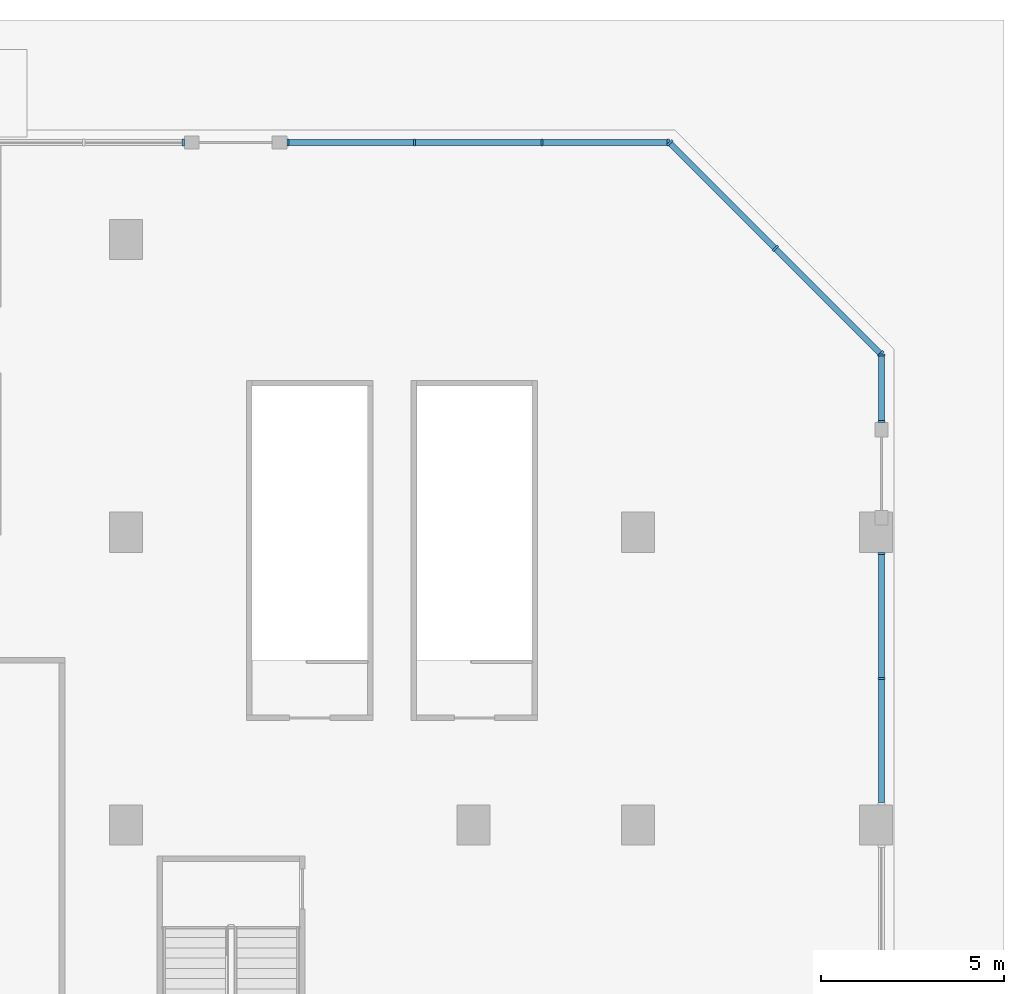
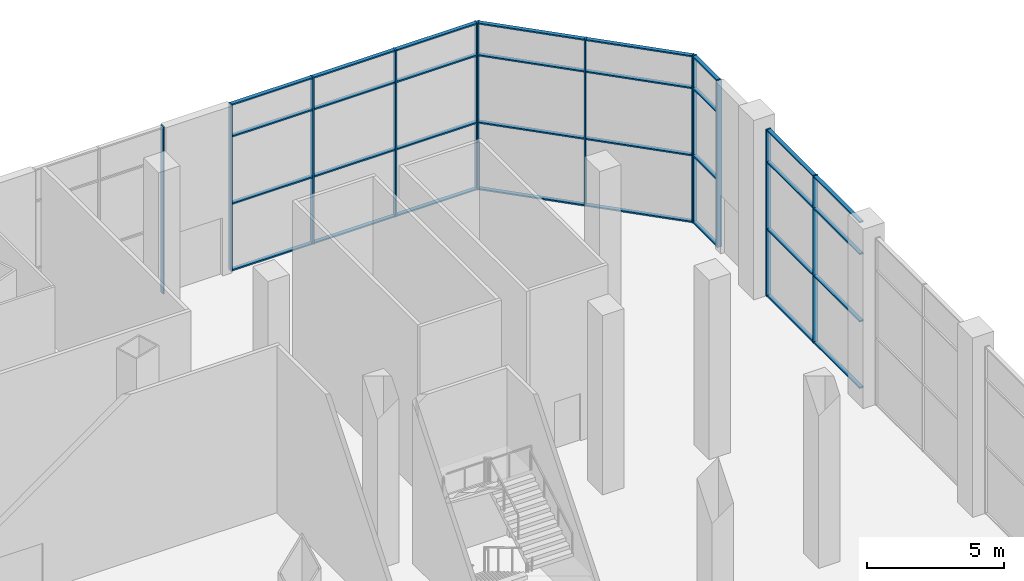
# One storey, part 8 of 33: 44 members, 5 elements without a shape of their own.
"""IFC4 building model written with IfcOpenShell, lengths in metres."""

from ifc_helpers import new_model, si_unit, direction, frame, origin, origin_2d, place, context, subcontext, project, spatial, rectangle, extrude, material, layer, layer_set, material_profile, profile_set, type_object, element, aggregate, save


model = new_model("IFC4")

# Units and contexts
model_context = context("Model", 3, precision=1e-05, world=origin(), true_north=direction((0.0, 1.0)))
body_context = subcontext(model_context, "Body", "Model", "MODEL_VIEW")
ifc_project = project(units=[si_unit("LENGTHUNIT", "METRE"), si_unit("AREAUNIT", "SQUARE_METRE"), si_unit("VOLUMEUNIT", "CUBIC_METRE"), si_unit("PLANEANGLEUNIT", "RADIAN"), si_unit("MASSUNIT", "GRAM", prefix="KILO")], contexts=[model_context])

# Site, building, storey
site_placement = place(None, origin())
site = spatial("IfcSite", under=ifc_project, at=site_placement, CompositionType="ELEMENT")
building_placement = place(site_placement, origin())
building = spatial("IfcBuilding", under=site, at=building_placement, Name="Alderwake Tower", CompositionType="ELEMENT")
storey_placement = place(building_placement, origin())
storey = spatial("IfcBuildingStorey", under=building, at=storey_placement, Name="L00", CompositionType="ELEMENT", Elevation=0.0)

# Curtain wall, members
ifc_material_1 = material(Name="Bronze tinted glass in aluminium frame", Category="aluminium")
ifc_layer = layer(ifc_material_1, 0.25)
ifc_layer_set = layer_set([ifc_layer], Name="Curtain wall CW1 podium shopfront")
curtain_wall_type = type_object("IfcCurtainWallType", Name="Curtain wall CW1 podium shopfront", PredefinedType="NOTDEFINED", material=ifc_layer_set)
curtain_wall_1_placement = place(storey_placement, origin())
curtain_wall_1 = element("IfcCurtainWall", 1, at=curtain_wall_1_placement, inside=storey, type_object=curtain_wall_type, Name="Curtain wall 17", PredefinedType="NOTDEFINED")
ifc_material_2 = material(Name="Aluminium bronze anodised", Category="aluminium")
ifc_material_profile_1 = material_profile(ifc_material_2, rectangle(XDim=0.199951171875, YDim=0.06005859375, at=origin_2d()), Name="Mullion MUA 60x200")
ifc_profile_set_1 = profile_set([ifc_material_profile_1], Name="Aluminium bronze anodised")
member_type_1 = type_object("IfcMemberType", Name="Mullion MUA 60x200", PredefinedType="MULLION", material=ifc_profile_set_1)
member_1_placement = place(storey_placement, frame((84.64990234375, 100.0, 0.0), z_axis=(0.0, 0.0, 1.0), x_axis=(-1.0, 0.0, 0.0)))
member_1 = element("IfcMember", 2, at=member_1_placement, type_object=member_type_1, Name="CW.17 mullion 2", PredefinedType="MULLION", context=body_context, shape_type="SweptSolid", body=[
    extrude(rectangle(XDim=0.199951171875, YDim=0.06005859375, at=origin_2d()), origin(), (0.0, 0.0, 1.0), 7.449951171875),
])
member_2_placement = place(storey_placement, frame((84.64990234375, 103.419921875, 0.0), z_axis=(0.0, 0.0, 1.0), x_axis=(-1.0, 0.0, 0.0)))
member_2 = element("IfcMember", 3, at=member_2_placement, type_object=member_type_1, Name="CW.17 mullion 3", PredefinedType="MULLION", context=body_context, shape_type="SweptSolid", body=[
    extrude(rectangle(XDim=0.199951171875, YDim=0.06005859375, at=origin_2d()), origin(), (0.0, 0.0, 1.0), 7.449951171875),
])

curtain_wall_2_placement = place(storey_placement, origin())
curtain_wall_2 = element("IfcCurtainWall", 4, at=curtain_wall_2_placement, inside=storey, type_object=curtain_wall_type, Name="Curtain wall 18", PredefinedType="NOTDEFINED")
member_3_placement = place(storey_placement, frame((84.64990234375, 107.030029296875, 0.0), z_axis=(0.0, 0.0, 1.0), x_axis=(-1.0, 0.0, 0.0)))
member_3 = element("IfcMember", 5, at=member_3_placement, type_object=member_type_1, Name="CW.18 mullion 1", PredefinedType="MULLION", context=body_context, shape_type="SweptSolid", body=[
    extrude(rectangle(XDim=0.199951171875, YDim=0.06005859375, at=origin_2d()), origin(), (0.0, 0.0, 1.0), 7.449951171875),
])
member_4_placement = place(storey_placement, frame((84.64990234375, 108.840087890625, 0.0), z_axis=(0.0, 0.0, 1.0), x_axis=(-1.0, 0.0, 0.0)))
member_4 = element("IfcMember", 6, at=member_4_placement, type_object=member_type_1, Name="CW.18 mullion 2", PredefinedType="MULLION", context=body_context, shape_type="SweptSolid", body=[
    extrude(rectangle(XDim=0.199951171875, YDim=0.06005859375, at=origin_2d()), origin(), (0.0, 0.0, 1.0), 7.449951171875),
])

curtain_wall_3_placement = place(storey_placement, origin())
curtain_wall_3 = element("IfcCurtainWall", 7, at=curtain_wall_3_placement, inside=storey, type_object=curtain_wall_type, Name="Curtain wall 19", PredefinedType="NOTDEFINED")
member_5_placement = place(storey_placement, frame((84.62890625, 108.876220703125, 0.0), z_axis=(0.0, 0.0, 1.0), x_axis=(-0.707106781187, -0.707106781187, 0.0)))
member_5 = element("IfcMember", 8, at=member_5_placement, type_object=member_type_1, Name="CW.19 mullion 1", PredefinedType="MULLION", context=body_context, shape_type="SweptSolid", body=[
    extrude(rectangle(XDim=0.199951171875, YDim=0.06005859375, at=origin_2d()), origin(), (0.0, 0.0, 1.0), 7.449951171875),
])
member_6_placement = place(storey_placement, frame((81.747314453125, 111.7578125, 0.0), z_axis=(0.0, 0.0, 1.0), x_axis=(-0.707106781187, -0.707106781187, 0.0)))
member_6 = element("IfcMember", 9, at=member_6_placement, type_object=member_type_1, Name="CW.19 mullion 2", PredefinedType="MULLION", context=body_context, shape_type="SweptSolid", body=[
    extrude(rectangle(XDim=0.199951171875, YDim=0.06005859375, at=origin_2d()), origin(), (0.0, 0.0, 1.0), 7.449951171875),
])
member_7_placement = place(storey_placement, frame((78.86572265625, 114.639404296875, 0.0), z_axis=(0.0, 0.0, 1.0), x_axis=(-0.707106781187, -0.707106781187, 0.0)))
member_7 = element("IfcMember", 10, at=member_7_placement, type_object=member_type_1, Name="CW.19 mullion 3", PredefinedType="MULLION", context=body_context, shape_type="SweptSolid", body=[
    extrude(rectangle(XDim=0.199951171875, YDim=0.06005859375, at=origin_2d()), origin(), (0.0, 0.0, 1.0), 7.449951171875),
])

curtain_wall_4_placement = place(storey_placement, origin())
curtain_wall_4 = element("IfcCurtainWall", 11, at=curtain_wall_4_placement, inside=storey, type_object=curtain_wall_type, Name="Curtain wall 20", PredefinedType="NOTDEFINED")
member_8_placement = place(storey_placement, frame((78.824951171875, 114.64990234375, 0.0), z_axis=(0.0, 0.0, 1.0), x_axis=(0.0, -1.0, 0.0)))
member_8 = element("IfcMember", 12, at=member_8_placement, type_object=member_type_1, Name="CW.20 mullion 1", PredefinedType="MULLION", context=body_context, shape_type="SweptSolid", body=[
    extrude(rectangle(XDim=0.199951171875, YDim=0.06005859375, at=origin_2d()), origin(), (0.0, 0.0, 1.0), 7.449951171875),
])
member_9_placement = place(storey_placement, frame((75.3701171875, 114.64990234375, 0.0), z_axis=(0.0, 0.0, 1.0), x_axis=(0.0, -1.0, 0.0)))
member_9 = element("IfcMember", 13, at=member_9_placement, type_object=member_type_1, Name="CW.20 mullion 2", PredefinedType="MULLION", context=body_context, shape_type="SweptSolid", body=[
    extrude(rectangle(XDim=0.199951171875, YDim=0.06005859375, at=origin_2d()), origin(), (0.0, 0.0, 1.0), 7.449951171875),
])
member_10_placement = place(storey_placement, frame((71.885009765625, 114.64990234375, 0.0), z_axis=(0.0, 0.0, 1.0), x_axis=(0.0, -1.0, 0.0)))
member_10 = element("IfcMember", 14, at=member_10_placement, type_object=member_type_1, Name="CW.20 mullion 3", PredefinedType="MULLION", context=body_context, shape_type="SweptSolid", body=[
    extrude(rectangle(XDim=0.199951171875, YDim=0.06005859375, at=origin_2d()), origin(), (0.0, 0.0, 1.0), 7.449951171875),
])
member_11_placement = place(storey_placement, frame((68.429931640625, 114.64990234375, 0.0), z_axis=(0.0, 0.0, 1.0), x_axis=(0.0, -1.0, 0.0)))
member_11 = element("IfcMember", 15, at=member_11_placement, type_object=member_type_1, Name="CW.20 mullion 4", PredefinedType="MULLION", context=body_context, shape_type="SweptSolid", body=[
    extrude(rectangle(XDim=0.199951171875, YDim=0.06005859375, at=origin_2d()), origin(), (0.0, 0.0, 1.0), 7.449951171875),
])

# Curtain wall, member
curtain_wall_5_placement = place(storey_placement, origin())
curtain_wall_5 = element("IfcCurtainWall", 16, at=curtain_wall_5_placement, inside=storey, type_object=curtain_wall_type, Name="Curtain wall 21", PredefinedType="NOTDEFINED")
member_12_placement = place(storey_placement, frame((65.570068359375, 114.64990234375, 0.0), z_axis=(0.0, 0.0, 1.0), x_axis=(0.0, -1.0, 0.0)))
member_12 = element("IfcMember", 17, at=member_12_placement, type_object=member_type_1, Name="CW.21 mullion 1", PredefinedType="MULLION", context=body_context, shape_type="SweptSolid", body=[
    extrude(rectangle(XDim=0.199951171875, YDim=0.06005859375, at=origin_2d()), origin(), (0.0, 0.0, 1.0), 7.449951171875),
])
aggregate(curtain_wall_5, [member_12])

# Member
ifc_material_3 = material(Name="Aluminium bronze anodised", Category="aluminium")
ifc_material_profile_2 = material_profile(ifc_material_3, rectangle(XDim=0.159912109375, YDim=0.06005859375, at=origin_2d()), Name="Transom TRA 60x160")
ifc_profile_set_2 = profile_set([ifc_material_profile_2], Name="Aluminium bronze anodised")
member_type_2 = type_object("IfcMemberType", Name="Transom TRA 60x160", PredefinedType="USERDEFINED", material=ifc_profile_set_2)
member_13_placement = place(storey_placement, frame((84.64990234375, 96.610107421875, 0.030029296875), z_axis=(0.0, 1.0, 0.0), x_axis=(-1.0, 0.0, 0.0)))
member_13 = element("IfcMember", 18, at=member_13_placement, type_object=member_type_2, Name="CW.17 transom 1.1", ObjectType="TRANSOM", PredefinedType="USERDEFINED", context=body_context, shape_type="SweptSolid", body=[
    extrude(rectangle(XDim=0.159912109375, YDim=0.06005859375, at=origin_2d()), origin(), (0.0, 0.0, 1.0), 3.35986328125),
])

member_14_placement = place(storey_placement, frame((84.64990234375, 96.610107421875, 3.0), z_axis=(0.0, 1.0, 0.0), x_axis=(-1.0, 0.0, 0.0)))
member_14 = element("IfcMember", 19, at=member_14_placement, type_object=member_type_2, Name="CW.17 transom 1.2", ObjectType="TRANSOM", PredefinedType="USERDEFINED", context=body_context, shape_type="SweptSolid", body=[
    extrude(rectangle(XDim=0.159912109375, YDim=0.06005859375, at=origin_2d()), origin(), (0.0, 0.0, 1.0), 3.35986328125),
])

member_15_placement = place(storey_placement, frame((84.64990234375, 96.610107421875, 6.0), z_axis=(0.0, 1.0, 0.0), x_axis=(-1.0, 0.0, 0.0)))
member_15 = element("IfcMember", 20, at=member_15_placement, type_object=member_type_2, Name="CW.17 transom 1.3", ObjectType="TRANSOM", PredefinedType="USERDEFINED", context=body_context, shape_type="SweptSolid", body=[
    extrude(rectangle(XDim=0.159912109375, YDim=0.06005859375, at=origin_2d()), origin(), (0.0, 0.0, 1.0), 3.35986328125),
])

member_16_placement = place(storey_placement, frame((84.64990234375, 96.610107421875, 7.419921875), z_axis=(0.0, 1.0, 0.0), x_axis=(-1.0, 0.0, 0.0)))
member_16 = element("IfcMember", 21, at=member_16_placement, type_object=member_type_2, Name="CW.17 transom 1.4", ObjectType="TRANSOM", PredefinedType="USERDEFINED", context=body_context, shape_type="SweptSolid", body=[
    extrude(rectangle(XDim=0.159912109375, YDim=0.06005859375, at=origin_2d()), origin(), (0.0, 0.0, 1.0), 3.35986328125),
])

member_17_placement = place(storey_placement, frame((84.64990234375, 100.030029296875, 0.030029296875), z_axis=(0.0, 1.0, 0.0), x_axis=(-1.0, 0.0, 0.0)))
member_17 = element("IfcMember", 22, at=member_17_placement, type_object=member_type_2, Name="CW.17 transom 2.1", ObjectType="TRANSOM", PredefinedType="USERDEFINED", context=body_context, shape_type="SweptSolid", body=[
    extrude(rectangle(XDim=0.159912109375, YDim=0.06005859375, at=origin_2d()), origin(), (0.0, 0.0, 1.0), 3.35986328125),
])

member_18_placement = place(storey_placement, frame((84.64990234375, 100.030029296875, 3.0), z_axis=(0.0, 1.0, 0.0), x_axis=(-1.0, 0.0, 0.0)))
member_18 = element("IfcMember", 23, at=member_18_placement, type_object=member_type_2, Name="CW.17 transom 2.2", ObjectType="TRANSOM", PredefinedType="USERDEFINED", context=body_context, shape_type="SweptSolid", body=[
    extrude(rectangle(XDim=0.159912109375, YDim=0.06005859375, at=origin_2d()), origin(), (0.0, 0.0, 1.0), 3.35986328125),
])

member_19_placement = place(storey_placement, frame((84.64990234375, 100.030029296875, 6.0), z_axis=(0.0, 1.0, 0.0), x_axis=(-1.0, 0.0, 0.0)))
member_19 = element("IfcMember", 24, at=member_19_placement, type_object=member_type_2, Name="CW.17 transom 2.3", ObjectType="TRANSOM", PredefinedType="USERDEFINED", context=body_context, shape_type="SweptSolid", body=[
    extrude(rectangle(XDim=0.159912109375, YDim=0.06005859375, at=origin_2d()), origin(), (0.0, 0.0, 1.0), 3.35986328125),
])

member_20_placement = place(storey_placement, frame((84.64990234375, 100.030029296875, 7.419921875), z_axis=(0.0, 1.0, 0.0), x_axis=(-1.0, 0.0, 0.0)))
member_20 = element("IfcMember", 25, at=member_20_placement, type_object=member_type_2, Name="CW.17 transom 2.4", ObjectType="TRANSOM", PredefinedType="USERDEFINED", context=body_context, shape_type="SweptSolid", body=[
    extrude(rectangle(XDim=0.159912109375, YDim=0.06005859375, at=origin_2d()), origin(), (0.0, 0.0, 1.0), 3.35986328125),
])

aggregate(curtain_wall_1, [member_1, member_2, member_13, member_14, member_15, member_16, member_17, member_18, member_19, member_20])

member_21_placement = place(storey_placement, frame((84.64990234375, 107.06005859375, 0.030029296875), z_axis=(0.0, 1.0, 0.0), x_axis=(-1.0, 0.0, 0.0)))
member_21 = element("IfcMember", 26, at=member_21_placement, type_object=member_type_2, Name="CW.18 transom 1.1", ObjectType="TRANSOM", PredefinedType="USERDEFINED", context=body_context, shape_type="SweptSolid", body=[
    extrude(rectangle(XDim=0.159912109375, YDim=0.06005859375, at=origin_2d()), origin(), (0.0, 0.0, 1.0), 1.75),
])

member_22_placement = place(storey_placement, frame((84.64990234375, 107.06005859375, 3.0), z_axis=(0.0, 1.0, 0.0), x_axis=(-1.0, 0.0, 0.0)))
member_22 = element("IfcMember", 27, at=member_22_placement, type_object=member_type_2, Name="CW.18 transom 1.2", ObjectType="TRANSOM", PredefinedType="USERDEFINED", context=body_context, shape_type="SweptSolid", body=[
    extrude(rectangle(XDim=0.159912109375, YDim=0.06005859375, at=origin_2d()), origin(), (0.0, 0.0, 1.0), 1.75),
])

member_23_placement = place(storey_placement, frame((84.64990234375, 107.06005859375, 6.0), z_axis=(0.0, 1.0, 0.0), x_axis=(-1.0, 0.0, 0.0)))
member_23 = element("IfcMember", 28, at=member_23_placement, type_object=member_type_2, Name="CW.18 transom 1.3", ObjectType="TRANSOM", PredefinedType="USERDEFINED", context=body_context, shape_type="SweptSolid", body=[
    extrude(rectangle(XDim=0.159912109375, YDim=0.06005859375, at=origin_2d()), origin(), (0.0, 0.0, 1.0), 1.75),
])

member_24_placement = place(storey_placement, frame((84.64990234375, 107.06005859375, 7.419921875), z_axis=(0.0, 1.0, 0.0), x_axis=(-1.0, 0.0, 0.0)))
member_24 = element("IfcMember", 29, at=member_24_placement, type_object=member_type_2, Name="CW.18 transom 1.4", ObjectType="TRANSOM", PredefinedType="USERDEFINED", context=body_context, shape_type="SweptSolid", body=[
    extrude(rectangle(XDim=0.159912109375, YDim=0.06005859375, at=origin_2d()), origin(), (0.0, 0.0, 1.0), 1.75),
])

aggregate(curtain_wall_2, [member_3, member_4, member_21, member_22, member_23, member_24])

member_25_placement = place(storey_placement, frame((84.607666015625, 108.8974609375, 0.030029296875), z_axis=(-0.70713718196, 0.707076379106, 0.0), x_axis=(-0.707076379106, -0.70713718196, 0.0)))
member_25 = element("IfcMember", 30, at=member_25_placement, type_object=member_type_2, Name="CW.19 transom 1.1", ObjectType="TRANSOM", PredefinedType="USERDEFINED", context=body_context, shape_type="SweptSolid", body=[
    extrude(rectangle(XDim=0.159912109375, YDim=0.06005859375, at=origin_2d()), origin(), (0.0, 0.0, 1.0), 4.015380859375),
])

member_26_placement = place(storey_placement, frame((84.607666015625, 108.8974609375, 3.0), z_axis=(-0.70713718196, 0.707076379106, 0.0), x_axis=(-0.707076379106, -0.70713718196, 0.0)))
member_26 = element("IfcMember", 31, at=member_26_placement, type_object=member_type_2, Name="CW.19 transom 1.2", ObjectType="TRANSOM", PredefinedType="USERDEFINED", context=body_context, shape_type="SweptSolid", body=[
    extrude(rectangle(XDim=0.159912109375, YDim=0.06005859375, at=origin_2d()), origin(), (0.0, 0.0, 1.0), 4.015380859375),
])

member_27_placement = place(storey_placement, frame((84.607666015625, 108.8974609375, 6.0), z_axis=(-0.70713718196, 0.707076379106, 0.0), x_axis=(-0.707076379106, -0.70713718196, 0.0)))
member_27 = element("IfcMember", 32, at=member_27_placement, type_object=member_type_2, Name="CW.19 transom 1.3", ObjectType="TRANSOM", PredefinedType="USERDEFINED", context=body_context, shape_type="SweptSolid", body=[
    extrude(rectangle(XDim=0.159912109375, YDim=0.06005859375, at=origin_2d()), origin(), (0.0, 0.0, 1.0), 4.015380859375),
])

member_28_placement = place(storey_placement, frame((84.607666015625, 108.8974609375, 7.419921875), z_axis=(-0.70713718196, 0.707076379106, 0.0), x_axis=(-0.707076379106, -0.70713718196, 0.0)))
member_28 = element("IfcMember", 33, at=member_28_placement, type_object=member_type_2, Name="CW.19 transom 1.4", ObjectType="TRANSOM", PredefinedType="USERDEFINED", context=body_context, shape_type="SweptSolid", body=[
    extrude(rectangle(XDim=0.159912109375, YDim=0.06005859375, at=origin_2d()), origin(), (0.0, 0.0, 1.0), 4.015380859375),
])

member_29_placement = place(storey_placement, frame((81.72607421875, 111.779052734375, 0.030029296875), z_axis=(-0.70713718196, 0.707076379106, 0.0), x_axis=(-0.707076379106, -0.70713718196, 0.0)))
member_29 = element("IfcMember", 34, at=member_29_placement, type_object=member_type_2, Name="CW.19 transom 2.1", ObjectType="TRANSOM", PredefinedType="USERDEFINED", context=body_context, shape_type="SweptSolid", body=[
    extrude(rectangle(XDim=0.159912109375, YDim=0.06005859375, at=origin_2d()), origin(), (0.0, 0.0, 1.0), 4.015380859375),
])

member_30_placement = place(storey_placement, frame((81.72607421875, 111.779052734375, 3.0), z_axis=(-0.70713718196, 0.707076379106, 0.0), x_axis=(-0.707076379106, -0.70713718196, 0.0)))
member_30 = element("IfcMember", 35, at=member_30_placement, type_object=member_type_2, Name="CW.19 transom 2.2", ObjectType="TRANSOM", PredefinedType="USERDEFINED", context=body_context, shape_type="SweptSolid", body=[
    extrude(rectangle(XDim=0.159912109375, YDim=0.06005859375, at=origin_2d()), origin(), (0.0, 0.0, 1.0), 4.015380859375),
])

member_31_placement = place(storey_placement, frame((81.72607421875, 111.779052734375, 6.0), z_axis=(-0.70713718196, 0.707076379106, 0.0), x_axis=(-0.707076379106, -0.70713718196, 0.0)))
member_31 = element("IfcMember", 36, at=member_31_placement, type_object=member_type_2, Name="CW.19 transom 2.3", ObjectType="TRANSOM", PredefinedType="USERDEFINED", context=body_context, shape_type="SweptSolid", body=[
    extrude(rectangle(XDim=0.159912109375, YDim=0.06005859375, at=origin_2d()), origin(), (0.0, 0.0, 1.0), 4.015380859375),
])

member_32_placement = place(storey_placement, frame((81.72607421875, 111.779052734375, 7.419921875), z_axis=(-0.70713718196, 0.707076379106, 0.0), x_axis=(-0.707076379106, -0.70713718196, 0.0)))
member_32 = element("IfcMember", 37, at=member_32_placement, type_object=member_type_2, Name="CW.19 transom 2.4", ObjectType="TRANSOM", PredefinedType="USERDEFINED", context=body_context, shape_type="SweptSolid", body=[
    extrude(rectangle(XDim=0.159912109375, YDim=0.06005859375, at=origin_2d()), origin(), (0.0, 0.0, 1.0), 4.015380859375),
])

aggregate(curtain_wall_3, [member_5, member_6, member_7, member_25, member_26, member_27, member_28, member_29, member_30, member_31, member_32])

member_33_placement = place(storey_placement, frame((78.794921875, 114.64990234375, 0.030029296875), z_axis=(-1.0, 0.0, 0.0), x_axis=(0.0, -1.0, 0.0)))
member_33 = element("IfcMember", 38, at=member_33_placement, type_object=member_type_2, Name="CW.20 transom 1.1", ObjectType="TRANSOM", PredefinedType="USERDEFINED", context=body_context, shape_type="SweptSolid", body=[
    extrude(rectangle(XDim=0.159912109375, YDim=0.06005859375, at=origin_2d()), origin(), (0.0, 0.0, 1.0), 3.39501953125),
])

member_34_placement = place(storey_placement, frame((78.794921875, 114.64990234375, 3.0), z_axis=(-1.0, 0.0, 0.0), x_axis=(0.0, -1.0, 0.0)))
member_34 = element("IfcMember", 39, at=member_34_placement, type_object=member_type_2, Name="CW.20 transom 1.2", ObjectType="TRANSOM", PredefinedType="USERDEFINED", context=body_context, shape_type="SweptSolid", body=[
    extrude(rectangle(XDim=0.159912109375, YDim=0.06005859375, at=origin_2d()), origin(), (0.0, 0.0, 1.0), 3.39501953125),
])

member_35_placement = place(storey_placement, frame((78.794921875, 114.64990234375, 6.0), z_axis=(-1.0, 0.0, 0.0), x_axis=(0.0, -1.0, 0.0)))
member_35 = element("IfcMember", 40, at=member_35_placement, type_object=member_type_2, Name="CW.20 transom 1.3", ObjectType="TRANSOM", PredefinedType="USERDEFINED", context=body_context, shape_type="SweptSolid", body=[
    extrude(rectangle(XDim=0.159912109375, YDim=0.06005859375, at=origin_2d()), origin(), (0.0, 0.0, 1.0), 3.39501953125),
])

member_36_placement = place(storey_placement, frame((78.794921875, 114.64990234375, 7.419921875), z_axis=(-1.0, 0.0, 0.0), x_axis=(0.0, -1.0, 0.0)))
member_36 = element("IfcMember", 41, at=member_36_placement, type_object=member_type_2, Name="CW.20 transom 1.4", ObjectType="TRANSOM", PredefinedType="USERDEFINED", context=body_context, shape_type="SweptSolid", body=[
    extrude(rectangle(XDim=0.159912109375, YDim=0.06005859375, at=origin_2d()), origin(), (0.0, 0.0, 1.0), 3.39501953125),
])

member_37_placement = place(storey_placement, frame((75.340087890625, 114.64990234375, 0.030029296875), z_axis=(-1.0, 0.0, 0.0), x_axis=(0.0, -1.0, 0.0)))
member_37 = element("IfcMember", 42, at=member_37_placement, type_object=member_type_2, Name="CW.20 transom 2.1", ObjectType="TRANSOM", PredefinedType="USERDEFINED", context=body_context, shape_type="SweptSolid", body=[
    extrude(rectangle(XDim=0.159912109375, YDim=0.06005859375, at=origin_2d()), origin(), (0.0, 0.0, 1.0), 3.425048828125),
])

member_38_placement = place(storey_placement, frame((75.340087890625, 114.64990234375, 3.0), z_axis=(-1.0, 0.0, 0.0), x_axis=(0.0, -1.0, 0.0)))
member_38 = element("IfcMember", 43, at=member_38_placement, type_object=member_type_2, Name="CW.20 transom 2.2", ObjectType="TRANSOM", PredefinedType="USERDEFINED", context=body_context, shape_type="SweptSolid", body=[
    extrude(rectangle(XDim=0.159912109375, YDim=0.06005859375, at=origin_2d()), origin(), (0.0, 0.0, 1.0), 3.425048828125),
])

member_39_placement = place(storey_placement, frame((75.340087890625, 114.64990234375, 6.0), z_axis=(-1.0, 0.0, 0.0), x_axis=(0.0, -1.0, 0.0)))
member_39 = element("IfcMember", 44, at=member_39_placement, type_object=member_type_2, Name="CW.20 transom 2.3", ObjectType="TRANSOM", PredefinedType="USERDEFINED", context=body_context, shape_type="SweptSolid", body=[
    extrude(rectangle(XDim=0.159912109375, YDim=0.06005859375, at=origin_2d()), origin(), (0.0, 0.0, 1.0), 3.425048828125),
])

member_40_placement = place(storey_placement, frame((75.340087890625, 114.64990234375, 7.419921875), z_axis=(-1.0, 0.0, 0.0), x_axis=(0.0, -1.0, 0.0)))
member_40 = element("IfcMember", 45, at=member_40_placement, type_object=member_type_2, Name="CW.20 transom 2.4", ObjectType="TRANSOM", PredefinedType="USERDEFINED", context=body_context, shape_type="SweptSolid", body=[
    extrude(rectangle(XDim=0.159912109375, YDim=0.06005859375, at=origin_2d()), origin(), (0.0, 0.0, 1.0), 3.425048828125),
])

member_41_placement = place(storey_placement, frame((71.85498046875, 114.64990234375, 0.030029296875), z_axis=(-1.0, 0.0, 0.0), x_axis=(0.0, -1.0, 0.0)))
member_41 = element("IfcMember", 46, at=member_41_placement, type_object=member_type_2, Name="CW.20 transom 3.1", ObjectType="TRANSOM", PredefinedType="USERDEFINED", context=body_context, shape_type="SweptSolid", body=[
    extrude(rectangle(XDim=0.159912109375, YDim=0.06005859375, at=origin_2d()), origin(), (0.0, 0.0, 1.0), 3.39501953125),
])

member_42_placement = place(storey_placement, frame((71.85498046875, 114.64990234375, 3.0), z_axis=(-1.0, 0.0, 0.0), x_axis=(0.0, -1.0, 0.0)))
member_42 = element("IfcMember", 47, at=member_42_placement, type_object=member_type_2, Name="CW.20 transom 3.2", ObjectType="TRANSOM", PredefinedType="USERDEFINED", context=body_context, shape_type="SweptSolid", body=[
    extrude(rectangle(XDim=0.159912109375, YDim=0.06005859375, at=origin_2d()), origin(), (0.0, 0.0, 1.0), 3.39501953125),
])

member_43_placement = place(storey_placement, frame((71.85498046875, 114.64990234375, 6.0), z_axis=(-1.0, 0.0, 0.0), x_axis=(0.0, -1.0, 0.0)))
member_43 = element("IfcMember", 48, at=member_43_placement, type_object=member_type_2, Name="CW.20 transom 3.3", ObjectType="TRANSOM", PredefinedType="USERDEFINED", context=body_context, shape_type="SweptSolid", body=[
    extrude(rectangle(XDim=0.159912109375, YDim=0.06005859375, at=origin_2d()), origin(), (0.0, 0.0, 1.0), 3.39501953125),
])

member_44_placement = place(storey_placement, frame((71.85498046875, 114.64990234375, 7.419921875), z_axis=(-1.0, 0.0, 0.0), x_axis=(0.0, -1.0, 0.0)))
member_44 = element("IfcMember", 49, at=member_44_placement, type_object=member_type_2, Name="CW.20 transom 3.4", ObjectType="TRANSOM", PredefinedType="USERDEFINED", context=body_context, shape_type="SweptSolid", body=[
    extrude(rectangle(XDim=0.159912109375, YDim=0.06005859375, at=origin_2d()), origin(), (0.0, 0.0, 1.0), 3.39501953125),
])

aggregate(curtain_wall_4, [member_8, member_9, member_10, member_11, member_33, member_34, member_35, member_36, member_37, member_38, member_39, member_40, member_41, member_42, member_43, member_44])

save(model, "model.ifc")
